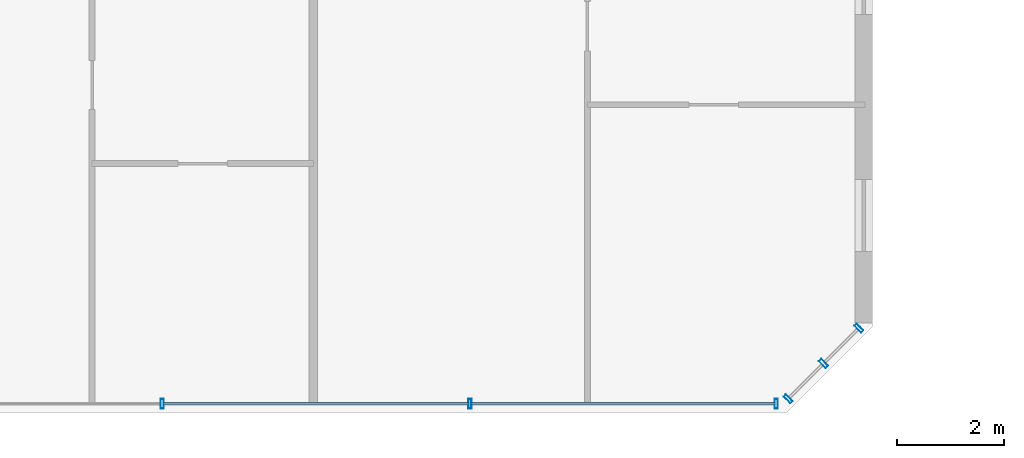
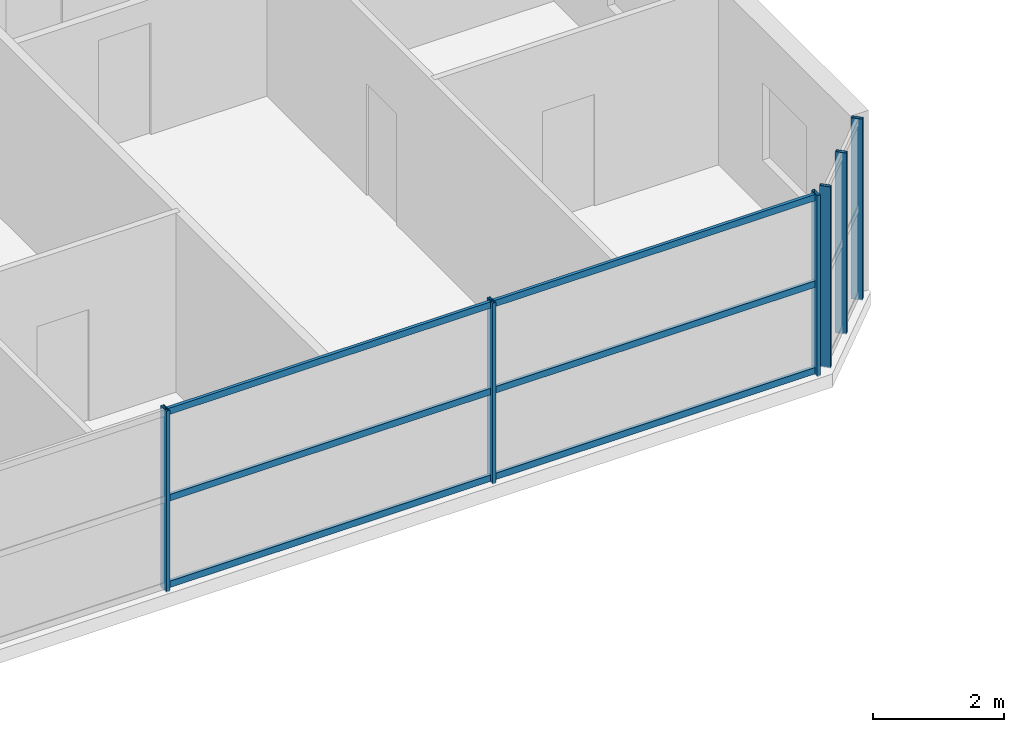
# One storey, part 6 of 20: 12 members, 2 elements without a shape of their own.
"""IFC4 building model written with IfcOpenShell, lengths in metres."""

import ifcopenshell
import ifcopenshell.guid

model = None  # the IFC model being written
_history = None  # IfcOwnerHistory: only IFC2X3 demands one
_inside = {}  # id of a spatial element -> (the spatial element, [elements in it])
_under = {}  # id of a project, library or spatial element -> (it, [spatial elements below it])
_declared = {}  # id of a project -> (the project, [libraries it declares])
_typed = {}  # id of a type object -> (the type object, [elements of that type])
_made_of = {}  # id of a material, layer set ... -> (it, [elements and type objects made of it])


def new_model(schema):
    """Start an empty IFC model of exactly this schema.

    Asked for "IFC4X3", IfcOpenShell would pick the latest addendum, in which some entities
    have other attributes; the version numbers below select the first issue.
    IFC2X3 requires an IfcOwnerHistory on every rooted entity: one is made here for all.
    """
    global model, _history
    if schema == "IFC4X3":
        model = ifcopenshell.file(schema_version=(4, 3, 0, 0))
    else:
        model = ifcopenshell.file(schema=schema)
    _inside.clear()
    _under.clear()
    _declared.clear()
    _typed.clear()
    _made_of.clear()
    _history = None
    if model.schema == "IFC2X3":
        org = make("IfcOrganization", Name="unknown")
        user = make(
            "IfcPersonAndOrganization",
            ThePerson=make("IfcPerson", FamilyName="unknown"),
            TheOrganization=org,
        )
        app = make(
            "IfcApplication",
            ApplicationDeveloper=org,
            Version="unknown",
            ApplicationFullName="unknown",
            ApplicationIdentifier="unknown",
        )
        _history = make(
            "IfcOwnerHistory",
            OwningUser=user,
            OwningApplication=app,
            ChangeAction="ADDED",
            CreationDate=0,
        )
    return model


def make(cls, **values):
    """One entity of the class cls with the attributes given. An attribute that is None is left unset."""
    return model.create_entity(
        cls, **{name: value for name, value in values.items() if value is not None}
    )


def rooted(cls, **values):
    """An entity with a GlobalId (a new one), such as an element, a storey or a relation."""
    return make(cls, GlobalId=ifcopenshell.guid.new(), OwnerHistory=_history, **values)


def si_unit(unit_type, name, prefix=None):
    """IfcSIUnit, for example si_unit("LENGTHUNIT", "METRE", prefix="MILLI")."""
    return make("IfcSIUnit", UnitType=unit_type, Prefix=prefix, Name=name)


def assignment(units):
    """IfcUnitAssignment: the units of a project."""
    return None if units is None else make("IfcUnitAssignment", Units=units)


def point(xyz):
    """IfcCartesianPoint."""
    return None if xyz is None else make("IfcCartesianPoint", Coordinates=xyz)


def direction(xyz):
    """IfcDirection."""
    return None if xyz is None else make("IfcDirection", DirectionRatios=xyz)


def frame(location, z_axis=None, x_axis=None):
    """IfcAxis2Placement3D, a coordinate frame: its origin and axes. An axis left out is left unset."""
    return make(
        "IfcAxis2Placement3D",
        Location=point(location),
        Axis=direction(z_axis),
        RefDirection=direction(x_axis),
    )


def frame_2d(location, x_axis=None):
    """IfcAxis2Placement2D, a coordinate frame in the plane: its origin and x axis."""
    return make(
        "IfcAxis2Placement2D", Location=point(location), RefDirection=direction(x_axis)
    )


def origin():
    """The frame at (0, 0, 0) with its axes left unset."""
    return frame((0.0, 0.0, 0.0))


def origin_2d():
    """The frame at (0, 0) in the plane with its x axis left unset."""
    return frame_2d((0.0, 0.0))


def place(relative_to, where):
    """IfcLocalPlacement: puts the frame where relative to a parent placement (None: the world)."""
    return make(
        "IfcLocalPlacement", PlacementRelTo=relative_to, RelativePlacement=where
    )


def context(
    kind, dimensions, precision=None, world=None, true_north=None, identifier=None
):
    """IfcGeometricRepresentationContext, for example the 3D "Model" context."""
    return make(
        "IfcGeometricRepresentationContext",
        ContextIdentifier=identifier,
        ContextType=kind,
        CoordinateSpaceDimension=dimensions,
        Precision=precision,
        WorldCoordinateSystem=world,
        TrueNorth=true_north,
    )


def subcontext(parent, identifier, kind, view, scale=None):
    """IfcGeometricRepresentationSubContext, for example "Body" below "Model"."""
    return make(
        "IfcGeometricRepresentationSubContext",
        ContextIdentifier=identifier,
        ContextType=kind,
        ParentContext=parent,
        TargetScale=scale,
        TargetView=view,
    )


def project(units=None, contexts=None):
    """IfcProject with its units and contexts."""
    return rooted(
        "IfcProject",
        Name="project",
        RepresentationContexts=contexts,
        UnitsInContext=assignment(units),
    )


def spatial(cls, under=None, at=None, **own):
    """A site, building, storey or space (cls), placed at a placement, below another one or the project."""
    s = rooted(cls, ObjectPlacement=at, **own)
    if under is not None:
        _under.setdefault(under.id(), (under, []))[1].append(s)
    return s


def profile(cls, at=None, kind="AREA", **sizes):
    """A parametric profile (cls). Its sizes go by their IFC names, for example OverallWidth=200.0."""
    return make(cls, ProfileType=kind, Position=at, **sizes)


def hollow_rectangle(**sizes):
    """IfcRectangleHollowProfileDef."""
    return profile("IfcRectangleHollowProfileDef", **sizes)


def extrude(swept, where, along, depth):
    """IfcExtrudedAreaSolid: the profile swept, set in the frame where, extruded along a direction by depth."""
    return make(
        "IfcExtrudedAreaSolid",
        SweptArea=swept,
        Position=where,
        ExtrudedDirection=direction(along),
        Depth=depth,
    )


def shape(context_of_items, identifier, shape_type, items):
    """IfcShapeRepresentation: the items that make up one representation, for example the "Body"."""
    return make(
        "IfcShapeRepresentation",
        ContextOfItems=context_of_items,
        RepresentationIdentifier=identifier,
        RepresentationType=shape_type,
        Items=items,
    )


def source(mapping_origin, context_of_items, identifier, shape_type, items):
    """IfcRepresentationMap: a shape defined once, which mapped items show again and again."""
    return make(
        "IfcRepresentationMap",
        MappingOrigin=mapping_origin,
        MappedRepresentation=shape(context_of_items, identifier, shape_type, items),
    )


def transform(
    local_origin,
    x_axis=None,
    y_axis=None,
    z_axis=None,
    scale=None,
    scale2=None,
    scale3=None,
    uniform=True,
):
    """IfcCartesianTransformationOperator3D, or its non-uniform kind. x_axis, y_axis, z_axis: its Axis1, 2, 3."""
    if uniform:
        return make(
            "IfcCartesianTransformationOperator3D",
            Axis1=direction(x_axis),
            Axis2=direction(y_axis),
            LocalOrigin=point(local_origin),
            Scale=scale,
            Axis3=direction(z_axis),
        )
    return make(
        "IfcCartesianTransformationOperator3DnonUniform",
        Axis1=direction(x_axis),
        Axis2=direction(y_axis),
        LocalOrigin=point(local_origin),
        Scale=scale,
        Axis3=direction(z_axis),
        Scale2=scale2,
        Scale3=scale3,
    )


def mapped(mapping_source, mapping_target):
    """IfcMappedItem: shows the shape of a source again, moved by a transform."""
    return make(
        "IfcMappedItem", MappingSource=mapping_source, MappingTarget=mapping_target
    )


def material(Name=None, Category=None):
    """IfcMaterial."""
    return make("IfcMaterial", Name=Name, Category=Category)


def material_profile(
    of_material, cross_section, Name=None, Category=None, Priority=None
):
    """IfcMaterialProfile: a cross section and its material."""
    return make(
        "IfcMaterialProfile",
        Name=Name,
        Material=of_material,
        Profile=cross_section,
        Priority=Priority,
        Category=Category,
    )


def profile_set(profiles, Name=None, composite=None):
    """IfcMaterialProfileSet."""
    return make(
        "IfcMaterialProfileSet",
        Name=Name,
        MaterialProfiles=profiles,
        CompositeProfile=composite,
    )


def made_of(thing, what):
    """Note that an element or type object is made of a material, layer set ...; save() writes the relation."""
    if what is not None:
        _made_of.setdefault(what.id(), (what, []))[1].append(thing)
    return thing


def type_object(cls, material=None, **own):
    """A type object (cls), such as IfcWallType, which elements share."""
    return made_of(rooted(cls, **own), material)


def element(
    cls,
    number,
    at=None,
    inside=None,
    cuts=None,
    type_object=None,
    material=None,
    context=None,
    identifier="Body",
    shape_type=None,
    held_by="IfcProductDefinitionShape",
    body=None,
    shapes=None,
    **own,
):
    """One element of the class cls, such as IfcWall. Its Tag is "e" and its number.

    at: its placement. inside: the storey or other place that contains it. cuts: it is an
    opening in that element (IfcRelVoidsElement). A single representation is given by context,
    identifier, shape_type and body (its items); several are given by shapes. held_by: the class
    of the entity that holds the representations. save() writes the other relations.
    """
    e = rooted(cls, Tag="e%d" % number, ObjectPlacement=at, **own)
    if body is not None:
        shapes = [shape(context, identifier, shape_type, body)]
    if shapes is not None:
        e.Representation = make(held_by, Representations=shapes)
    if inside is not None:
        _inside.setdefault(inside.id(), (inside, []))[1].append(e)
    if cuts is not None:
        rooted(
            "IfcRelVoidsElement", RelatingBuildingElement=cuts, RelatedOpeningElement=e
        )
    if type_object is not None:
        _typed.setdefault(type_object.id(), (type_object, []))[1].append(e)
    return made_of(e, material)


def aggregate(whole, parts):
    """IfcRelAggregates: a whole, such as a stair, and the parts it consists of."""
    return rooted("IfcRelAggregates", RelatingObject=whole, RelatedObjects=parts)


def save(model, path):
    """Write the relations noted so far, then the file.

    IfcRelAggregates (storeys below a building ...), IfcRelContainedInSpatialStructure (elements
    in a storey), IfcRelDefinesByType, IfcRelAssociatesMaterial and IfcRelDeclares: one each for
    every whole, place, type object, material and project.
    """
    for whole, parts in _under.values():
        aggregate(whole, parts)
    for where, things in _inside.values():
        rooted(
            "IfcRelContainedInSpatialStructure",
            RelatedElements=things,
            RelatingStructure=where,
        )
    for kind, things in _typed.values():
        rooted("IfcRelDefinesByType", RelatedObjects=things, RelatingType=kind)
    for what, things in _made_of.values():
        rooted("IfcRelAssociatesMaterial", RelatedObjects=things, RelatingMaterial=what)
    for by, libraries in _declared.values():
        rooted("IfcRelDeclares", RelatingContext=by, RelatedDefinitions=libraries)
    model.write(path)


model = new_model("IFC4")

# Units and contexts
model_context = context("Model", 3, precision=1e-05, world=origin(), true_north=direction((0.0, 1.0)))
body_context = subcontext(model_context, "Body", "Model", "MODEL_VIEW")
ifc_project = project(units=[si_unit("LENGTHUNIT", "METRE"), si_unit("AREAUNIT", "SQUARE_METRE"), si_unit("VOLUMEUNIT", "CUBIC_METRE"), si_unit("PLANEANGLEUNIT", "RADIAN"), si_unit("MASSUNIT", "GRAM", prefix="KILO")], contexts=[model_context])

# Site, building, storey
site_placement = place(None, origin())
site = spatial("IfcSite", under=ifc_project, at=site_placement, CompositionType="ELEMENT")
building_placement = place(site_placement, origin())
building = spatial("IfcBuilding", under=site, at=building_placement, Name="Tlacorven Tower", CompositionType="ELEMENT")
storey_placement = place(building_placement, frame((0.0, 0.0, 225.60009765625)))
storey = spatial("IfcBuildingStorey", under=building, at=storey_placement, Name="L57", CompositionType="ELEMENT", Elevation=225.60009765625)

# Curtain wall, members
ifc_material_1 = material(Name="Dark solar low-E double glazing in aluminium frame", Category="aluminium")
curtain_wall_type = type_object("IfcCurtainWallType", Name="CW-TWR-HIGH", PredefinedType="USERDEFINED", material=ifc_material_1)
curtain_wall_1_placement = place(storey_placement, origin())
curtain_wall_1 = element("IfcCurtainWall", 1, at=curtain_wall_1_placement, inside=storey, type_object=curtain_wall_type, Name="L57 CW-TWR-HIGH Curtain Wall 258", ObjectType="UNITISED CURTAIN WALL", PredefinedType="USERDEFINED")
ifc_material_2 = material(Name="Aluminium 6063-T6 anodised", Category="aluminium")
ifc_material_profile_1 = material_profile(ifc_material_2, hollow_rectangle(XDim=0.054931640625, YDim=0.1201171875, WallThickness=0.00341796875, at=origin_2d()), Name="ALU TRANSOM 55X120")
ifc_profile_set_1 = profile_set([ifc_material_profile_1], Name="Aluminium 6063-T6 anodised")
member_type_1 = type_object("IfcMemberType", Name="CWT-03", PredefinedType="USERDEFINED", material=ifc_profile_set_1)
shared_shape_1 = source(origin(), body_context, "Body", "SweptSolid", [
    extrude(hollow_rectangle(XDim=0.054931640625, YDim=0.1201171875, WallThickness=0.00341796875, at=origin_2d()), origin(), (0.0, 0.0, 1.0), 5.689697265625),
])
member_1_placement = place(storey_placement, frame((50.585693359375, 1.9599609375, 0.059814453125), z_axis=(-1.0, 0.0, 0.0), x_axis=(0.0, -1.0, 0.0)))
member_1 = element("IfcMember", 2, at=member_1_placement, type_object=member_type_1, Name="CW-L57-258 Transom 1", ObjectType="TRANSOM", PredefinedType="USERDEFINED", context=body_context, shape_type="MappedRepresentation", body=[
    mapped(shared_shape_1, transform((0.0, 0.0, 0.0), scale=1.0)),
])
member_2_placement = place(storey_placement, frame((50.585693359375, 1.9599609375, 1.6748046875), z_axis=(-1.0, 0.0, 0.0), x_axis=(0.0, -1.0, 0.0)))
member_2 = element("IfcMember", 3, at=member_2_placement, type_object=member_type_1, Name="CW-L57-258 Transom 2", ObjectType="TRANSOM", PredefinedType="USERDEFINED", context=body_context, shape_type="MappedRepresentation", body=[
    mapped(shared_shape_1, transform((0.0, 0.0, 0.0), scale=1.0)),
])
member_3_placement = place(storey_placement, frame((50.585693359375, 1.9599609375, 3.289794921875), z_axis=(-1.0, 0.0, 0.0), x_axis=(0.0, -1.0, 0.0)))
member_3 = element("IfcMember", 4, at=member_3_placement, type_object=member_type_1, Name="CW-L57-258 Transom 3", ObjectType="TRANSOM", PredefinedType="USERDEFINED", context=body_context, shape_type="MappedRepresentation", body=[
    mapped(shared_shape_1, transform((0.0, 0.0, 0.0), scale=1.0)),
])
shared_shape_2 = source(origin(), body_context, "Body", "SweptSolid", [
    extrude(hollow_rectangle(XDim=0.054931640625, YDim=0.1201171875, WallThickness=0.00341796875, at=origin_2d()), origin(), (0.0, 0.0, 1.0), 5.7197265625),
])
member_4_placement = place(storey_placement, frame((44.85986328125, 1.9599609375, 0.059814453125), z_axis=(-1.0, 0.0, 0.0), x_axis=(0.0, -1.0, 0.0)))
member_4 = element("IfcMember", 5, at=member_4_placement, type_object=member_type_1, Name="CW-L57-258 Transom 4", ObjectType="TRANSOM", PredefinedType="USERDEFINED", context=body_context, shape_type="MappedRepresentation", body=[
    mapped(shared_shape_2, transform((0.0, 0.0, 0.0), scale=1.0)),
])
member_5_placement = place(storey_placement, frame((44.85986328125, 1.9599609375, 1.6748046875), z_axis=(-1.0, 0.0, 0.0), x_axis=(0.0, -1.0, 0.0)))
member_5 = element("IfcMember", 6, at=member_5_placement, type_object=member_type_1, Name="CW-L57-258 Transom 5", ObjectType="TRANSOM", PredefinedType="USERDEFINED", context=body_context, shape_type="MappedRepresentation", body=[
    mapped(shared_shape_2, transform((0.0, 0.0, 0.0), scale=1.0)),
])
member_6_placement = place(storey_placement, frame((44.85986328125, 1.9599609375, 3.289794921875), z_axis=(-1.0, 0.0, 0.0), x_axis=(0.0, -1.0, 0.0)))
member_6 = element("IfcMember", 7, at=member_6_placement, type_object=member_type_1, Name="CW-L57-258 Transom 6", ObjectType="TRANSOM", PredefinedType="USERDEFINED", context=body_context, shape_type="MappedRepresentation", body=[
    mapped(shared_shape_2, transform((0.0, 0.0, 0.0), scale=1.0)),
])

curtain_wall_2_placement = place(storey_placement, origin())
curtain_wall_2 = element("IfcCurtainWall", 8, at=curtain_wall_2_placement, inside=storey, type_object=curtain_wall_type, Name="L57 CW-TWR-HIGH Curtain Wall 257", ObjectType="UNITISED CURTAIN WALL", PredefinedType="USERDEFINED")
ifc_material_profile_2 = material_profile(ifc_material_2, hollow_rectangle(XDim=0.06005859375, YDim=0.179931640625, WallThickness=0.00390625, at=origin_2d()), Name="ALU MULLION 60X180")
ifc_profile_set_2 = profile_set([ifc_material_profile_2], Name="Aluminium 6063-T6 anodised")
member_type_2 = type_object("IfcMemberType", Name="CWM-03", PredefinedType="MULLION", material=ifc_profile_set_2)
shared_shape_3 = source(origin(), body_context, "Body", "SweptSolid", [
    extrude(hollow_rectangle(XDim=0.06005859375, YDim=0.179931640625, WallThickness=0.00390625, at=origin_2d()), origin(), (0.0, 0.0, 1.0), 3.3798828125),
])
member_7_placement = place(storey_placement, frame((52.148193359375, 3.374267578125, -0.02001953125), z_axis=(0.0, 0.0, 1.0), x_axis=(-0.707106781187, -0.707106781187, 0.0)))
member_7 = element("IfcMember", 9, at=member_7_placement, type_object=member_type_2, Name="CW-L57-257 Mullion 1", PredefinedType="MULLION", context=body_context, shape_type="MappedRepresentation", body=[
    mapped(shared_shape_3, transform((0.0, 0.0, 0.0), scale=1.0)),
])
member_8_placement = place(storey_placement, frame((51.48681640625, 2.713134765625, -0.02001953125), z_axis=(0.0, 0.0, 1.0), x_axis=(-0.707106781187, -0.707106781187, 0.0)))
member_8 = element("IfcMember", 10, at=member_8_placement, type_object=member_type_2, Name="CW-L57-257 Mullion 2", PredefinedType="MULLION", context=body_context, shape_type="MappedRepresentation", body=[
    mapped(shared_shape_3, transform((0.0, 0.0, 0.0), scale=1.0)),
])
member_9_placement = place(storey_placement, frame((50.82568359375, 2.052001953125, -0.02001953125), z_axis=(0.0, 0.0, 1.0), x_axis=(-0.707106781187, -0.707106781187, 0.0)))
member_9 = element("IfcMember", 11, at=member_9_placement, type_object=member_type_2, Name="CW-L57-257 Mullion 3", PredefinedType="MULLION", context=body_context, shape_type="MappedRepresentation", body=[
    mapped(shared_shape_3, transform((0.0, 0.0, 0.0), scale=1.0)),
])
aggregate(curtain_wall_2, [member_7, member_8, member_9])

# Member
member_10_placement = place(storey_placement, frame((50.603759765625, 1.9599609375, -0.02001953125), z_axis=(0.0, 0.0, 1.0), x_axis=(-1.0, 0.0, 0.0)))
member_10 = element("IfcMember", 12, at=member_10_placement, type_object=member_type_2, Name="CW-L57-258 Mullion 1", PredefinedType="MULLION", context=body_context, shape_type="MappedRepresentation", body=[
    mapped(shared_shape_3, transform((0.0, 0.0, 0.0), scale=1.0)),
])

member_11_placement = place(storey_placement, frame((44.8779296875, 1.9599609375, -0.02001953125), z_axis=(0.0, 0.0, 1.0), x_axis=(-1.0, 0.0, 0.0)))
member_11 = element("IfcMember", 13, at=member_11_placement, type_object=member_type_2, Name="CW-L57-258 Mullion 2", PredefinedType="MULLION", context=body_context, shape_type="MappedRepresentation", body=[
    mapped(shared_shape_3, transform((0.0, 0.0, 0.0), scale=1.0)),
])

member_12_placement = place(storey_placement, frame((39.1220703125, 1.9599609375, -0.02001953125), z_axis=(0.0, 0.0, 1.0), x_axis=(-1.0, 0.0, 0.0)))
member_12 = element("IfcMember", 14, at=member_12_placement, type_object=member_type_2, Name="CW-L57-258 Mullion 3", PredefinedType="MULLION", context=body_context, shape_type="MappedRepresentation", body=[
    mapped(shared_shape_3, transform((0.0, 0.0, 0.0), scale=1.0)),
])

aggregate(curtain_wall_1, [member_10, member_11, member_12, member_1, member_2, member_3, member_4, member_5, member_6])

save(model, "model.ifc")
